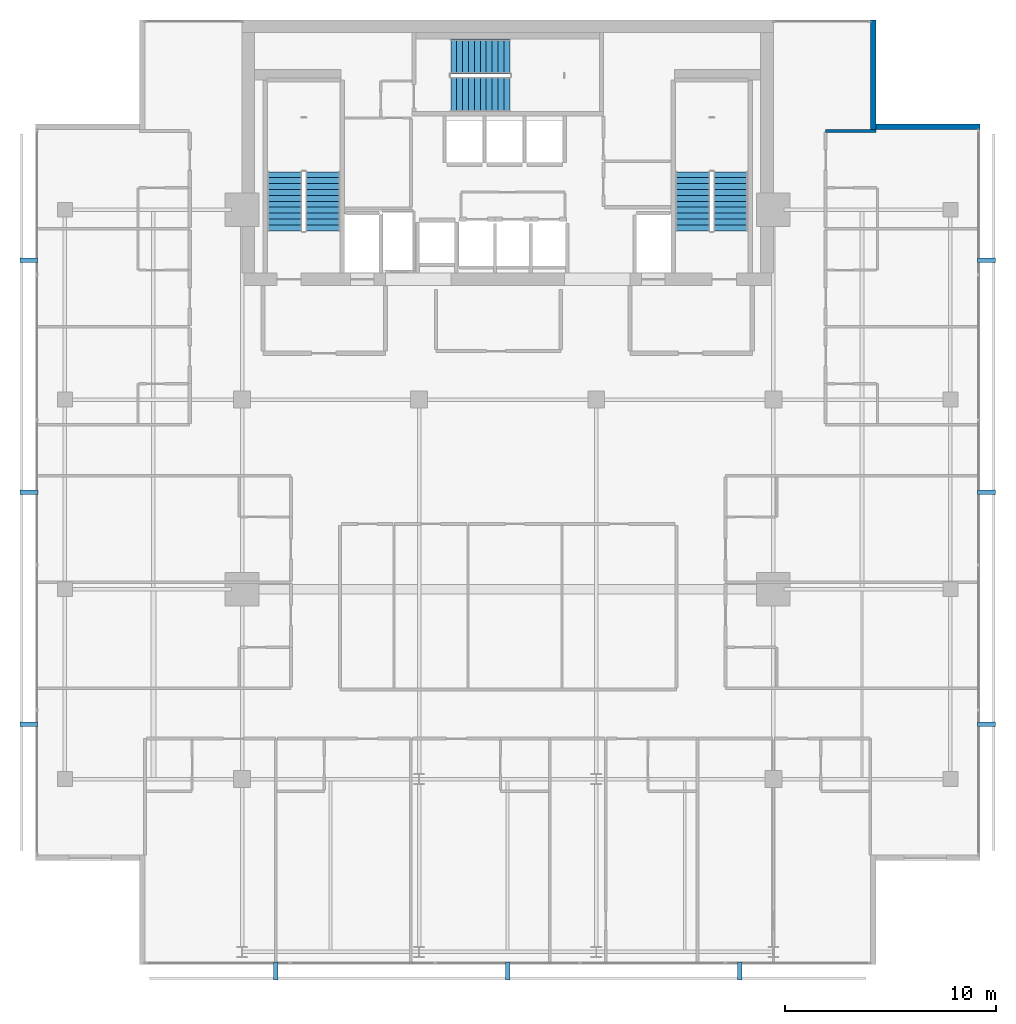
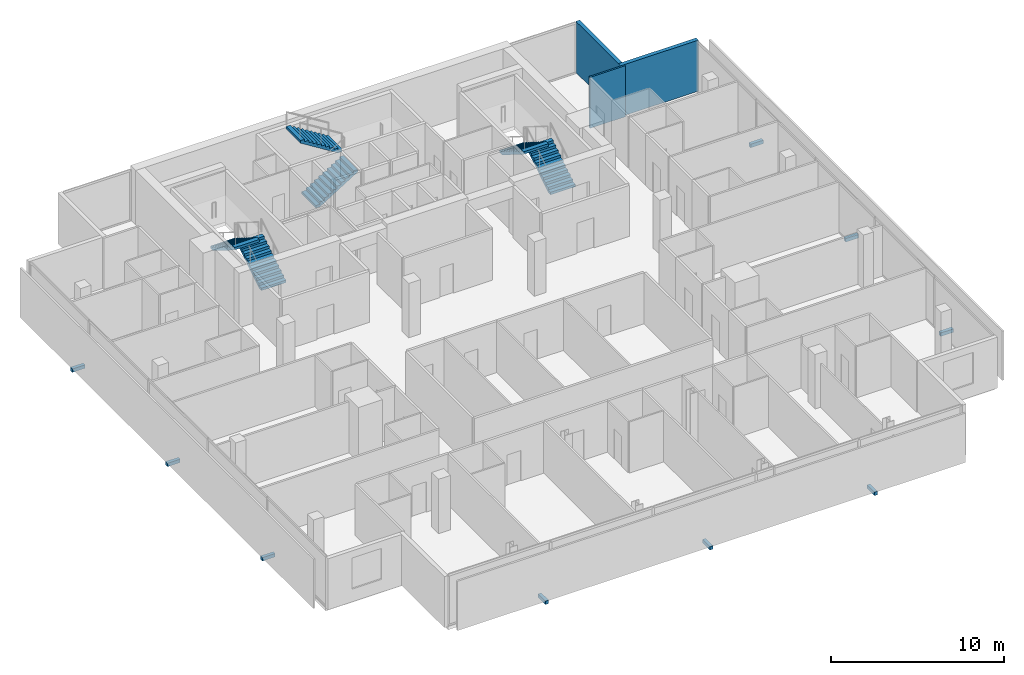
# One storey, part 24 of 26: 9 discrete accessories, 6 stair flights, 3 walls, 3 elements without a shape of their own.
"""IFC4 building model written with IfcOpenShell, lengths in metres."""

from ifc_helpers import new_model, si_unit, direction, frame, frame_2d, origin, origin_2d, place, context, subcontext, project, spatial, polyline, rectangle, outline, extrude, material, layer, layer_set, type_object, element, aggregate, save


model = new_model("IFC4")

# Units and contexts
model_context = context("Model", 3, precision=1e-05, world=origin(), true_north=direction((0.0, 1.0)))
body_context = subcontext(model_context, "Body", "Model", "MODEL_VIEW")
ifc_project = project(units=[si_unit("LENGTHUNIT", "METRE"), si_unit("AREAUNIT", "SQUARE_METRE"), si_unit("VOLUMEUNIT", "CUBIC_METRE"), si_unit("PLANEANGLEUNIT", "RADIAN"), si_unit("MASSUNIT", "GRAM", prefix="KILO")], contexts=[model_context])

# Site, building, storey
site_placement = place(None, origin())
site = spatial("IfcSite", under=ifc_project, at=site_placement, CompositionType="ELEMENT")
building_placement = place(site_placement, origin())
building = spatial("IfcBuilding", under=site, at=building_placement, Name="Maruvema Waterfront Hotel and Observation Tower", CompositionType="ELEMENT")
storey_placement = place(building_placement, frame((0.0, 0.0, 293.300048828125)))
storey = spatial("IfcBuildingStorey", under=building, at=storey_placement, Name="L72", CompositionType="ELEMENT", Elevation=293.300048828125)

# Walls
ifc_material_1 = material(Name="Precast concrete C45/55 with honed Pernambuco granite facing", Category="masonry")
ifc_layer_1 = layer(ifc_material_1, 0.260009765625, Name="Exterior Granite Clad Spandrel and Pier Wall 260 mm")
ifc_layer_set_1 = layer_set([ifc_layer_1], Name="Precast concrete C45/55 with honed Pernambuco granite facing")
wall_type_1 = type_object("IfcWallType", Name="Exterior Granite Clad Spandrel and Pier Wall 260 mm", PredefinedType="SOLIDWALL", material=ifc_layer_set_1)
for number, where, z_axis, x_axis, name in (
    (1, (55.1298828125, 54.0, 0.0), (0.0, 0.0, 1.0), (0.0, -1.0, 0.0), "L72 Corner Notch Granite Pier Wall NE1"),
    (2, (55.0, 48.929931640625, 0.0), (0.0, 0.0, 1.0), (1.0, 0.0, 0.0), "L72 Corner Notch Granite Pier Wall NE2"),
):
    element("IfcWall", number, at=place(storey_placement, frame(where, z_axis=z_axis, x_axis=x_axis)), inside=storey, type_object=wall_type_1, Name=name, PredefinedType="SOLIDWALL", context=body_context, shape_type="SweptSolid", body=[
        extrude(rectangle(XDim=5.199951171875, YDim=0.260009765625, at=frame_2d((2.60009765625, 0.0))), origin(), (0.0, 0.0, 1.0), 3.60986328125),
    ])
ifc_material_2 = material(Name="Acoustic gypsum plasterboard drywall", Category="gypsum")
ifc_layer_2 = layer(ifc_material_2, 0.125, Name="Guestroom Acoustic Demising Wall 125 mm")
ifc_layer_set_2 = layer_set([ifc_layer_2], Name="Acoustic gypsum plasterboard drywall")
wall_type_2 = type_object("IfcWallType", Name="Guestroom Acoustic Demising Wall 125 mm", PredefinedType="PARTITIONING", material=ifc_layer_set_2)
wall_placement = place(storey_placement, frame((52.8798828125, 48.737548828125, 0.0), z_axis=(0.0, 0.0, 1.0), x_axis=(1.0, 0.0, 0.0)))
element("IfcWall", 3, at=wall_placement, inside=storey, type_object=wall_type_2, Name="L72 Z3 NE Top End 090", PredefinedType="PARTITIONING", context=body_context, shape_type="SweptSolid", body=[
    extrude(rectangle(XDim=2.380126953125, YDim=0.125, at=frame_2d((1.18994140625, 0.0))), origin(), (0.0, 0.0, 1.0), 3.60986328125),
])

# Stair, stair flights
ifc_material_3 = material(Name="Concrete C50/60", Category="concrete")
stair_type = type_object("IfcStairType", Name="Dogleg Exit Stair 1650 mm (22R x 175.0 mm)", PredefinedType="HALF_TURN_STAIR", material=ifc_material_3)
stair_1_placement = place(storey_placement, origin())
stair_1 = element("IfcStair", 4, at=stair_1_placement, inside=storey, type_object=stair_type, Name="L72 ST-01", PredefinedType="HALF_TURN_STAIR")
ifc_material_4 = material(Name="Concrete C50/60", Category="concrete")
stair_flight_type = type_object("IfcStairFlightType", Name="Reinforced Concrete Stair Flight 1650 mm (11R x 175.0 mm)", PredefinedType="STRAIGHT", material=ifc_material_4)
stair_flight_1_placement = place(storey_placement, frame((29.02490234375, 44.0, 0.0), z_axis=(0.0, 0.0, 1.0), x_axis=(0.0, 1.0, 0.0)))
stair_flight_1 = element("IfcStairFlight", 5, at=stair_flight_1_placement, type_object=stair_flight_type, Name="ST-01 flight 1", NumberOfRisers=11, NumberOfTreads=10, PredefinedType="STRAIGHT", RiserHeight=0.175, TreadLength=0.28, context=body_context, shape_type="SweptSolid", body=[
    extrude(outline(polyline([(0.0, 0.0), (0.0, 0.175048828125), (0.280029296875, 0.175048828125), (0.280029296875, 0.35009765625), (0.56005859375, 0.35009765625), (0.56005859375, 0.52490234375), (0.840087890625, 0.52490234375), (0.840087890625, 0.699951171875), (1.1201171875, 0.699951171875), (1.1201171875, 0.875), (1.39990234375, 0.875), (1.39990234375, 1.050048828125), (1.679931640625, 1.050048828125), (1.679931640625, 1.22509765625), (1.9599609375, 1.22509765625), (1.9599609375, 1.39990234375), (2.239990234375, 1.39990234375), (2.239990234375, 1.574951171875), (2.52001953125, 1.574951171875), (2.52001953125, 1.75), (2.800048828125, 1.75), (2.800048828125, 1.925048828125), (2.800048828125, 1.5732421875), (0.28271484375, 0.0), (0.0, 0.0)])), frame((0.0, 0.824951171875, 0.0), z_axis=(0.0, -1.0, 0.0), x_axis=(1.0, 0.0, 0.0)), (0.0, 0.0, 1.0), 1.64990234375),
])
stair_flight_2_placement = place(storey_placement, frame((27.22509765625, 46.800048828125, 1.925048828125), z_axis=(0.0, 0.0, 1.0), x_axis=(0.0, -1.0, 0.0)))
stair_flight_2 = element("IfcStairFlight", 6, at=stair_flight_2_placement, type_object=stair_flight_type, Name="ST-01 flight 2", NumberOfRisers=11, NumberOfTreads=10, PredefinedType="STRAIGHT", RiserHeight=0.175, TreadLength=0.28, context=body_context, shape_type="SweptSolid", body=[
    extrude(outline(polyline([(0.0, 0.0), (0.0, 0.175048828125), (0.280029296875, 0.175048828125), (0.280029296875, 0.35009765625), (0.56005859375, 0.35009765625), (0.56005859375, 0.52490234375), (0.840087890625, 0.52490234375), (0.840087890625, 0.699951171875), (1.1201171875, 0.699951171875), (1.1201171875, 0.875), (1.39990234375, 0.875), (1.39990234375, 1.050048828125), (1.679931640625, 1.050048828125), (1.679931640625, 1.22509765625), (1.9599609375, 1.22509765625), (1.9599609375, 1.39990234375), (2.239990234375, 1.39990234375), (2.239990234375, 1.574951171875), (2.52001953125, 1.574951171875), (2.52001953125, 1.75), (2.800048828125, 1.75), (2.800048828125, 1.925048828125), (2.800048828125, 1.5732421875), (0.28271484375, 0.0), (0.0, 0.0)])), frame((0.0, 0.824951171875, 0.0), z_axis=(0.0, -1.0, 0.0), x_axis=(1.0, 0.0, 0.0)), (0.0, 0.0, 1.0), 1.64990234375),
])
aggregate(stair_1, [stair_flight_1, stair_flight_2])

stair_2_placement = place(storey_placement, origin())
stair_2 = element("IfcStair", 7, at=stair_2_placement, inside=storey, type_object=stair_type, Name="L72 ST-02", PredefinedType="HALF_TURN_STAIR")
stair_flight_3_placement = place(storey_placement, frame((35.10009765625, 50.47509765625, 0.0), z_axis=(0.0, 0.0, 1.0), x_axis=(1.0, 0.0, 0.0)))
stair_flight_3 = element("IfcStairFlight", 8, at=stair_flight_3_placement, type_object=stair_flight_type, Name="ST-02 flight 1", NumberOfRisers=11, NumberOfTreads=10, PredefinedType="STRAIGHT", RiserHeight=0.175, TreadLength=0.28, context=body_context, shape_type="SweptSolid", body=[
    extrude(outline(polyline([(0.0, 0.0), (0.0, 0.175048828125), (0.280029296875, 0.175048828125), (0.280029296875, 0.35009765625), (0.56005859375, 0.35009765625), (0.56005859375, 0.52490234375), (0.840087890625, 0.52490234375), (0.840087890625, 0.699951171875), (1.1201171875, 0.699951171875), (1.1201171875, 0.875), (1.39990234375, 0.875), (1.39990234375, 1.050048828125), (1.679931640625, 1.050048828125), (1.679931640625, 1.22509765625), (1.9599609375, 1.22509765625), (1.9599609375, 1.39990234375), (2.239990234375, 1.39990234375), (2.239990234375, 1.574951171875), (2.52001953125, 1.574951171875), (2.52001953125, 1.75), (2.800048828125, 1.75), (2.800048828125, 1.925048828125), (2.800048828125, 1.5732421875), (0.28271484375, 0.0), (0.0, 0.0)])), frame((0.0, 0.824951171875, 0.0), z_axis=(0.0, -1.0, 0.0), x_axis=(1.0, 0.0, 0.0)), (0.0, 0.0, 1.0), 1.64990234375),
])
stair_flight_4_placement = place(storey_placement, frame((37.89990234375, 52.27490234375, 1.925048828125), z_axis=(0.0, 0.0, 1.0), x_axis=(-1.0, 0.0, 0.0)))
stair_flight_4 = element("IfcStairFlight", 9, at=stair_flight_4_placement, type_object=stair_flight_type, Name="ST-02 flight 2", NumberOfRisers=11, NumberOfTreads=10, PredefinedType="STRAIGHT", RiserHeight=0.175, TreadLength=0.28, context=body_context, shape_type="SweptSolid", body=[
    extrude(outline(polyline([(0.0, 0.0), (0.0, 0.175048828125), (0.280029296875, 0.175048828125), (0.280029296875, 0.35009765625), (0.56005859375, 0.35009765625), (0.56005859375, 0.52490234375), (0.840087890625, 0.52490234375), (0.840087890625, 0.699951171875), (1.1201171875, 0.699951171875), (1.1201171875, 0.875), (1.39990234375, 0.875), (1.39990234375, 1.050048828125), (1.679931640625, 1.050048828125), (1.679931640625, 1.22509765625), (1.9599609375, 1.22509765625), (1.9599609375, 1.39990234375), (2.239990234375, 1.39990234375), (2.239990234375, 1.574951171875), (2.52001953125, 1.574951171875), (2.52001953125, 1.75), (2.800048828125, 1.75), (2.800048828125, 1.925048828125), (2.800048828125, 1.5732421875), (0.28271484375, 0.0), (0.0, 0.0)])), frame((0.0, 0.824951171875, 0.0), z_axis=(0.0, -1.0, 0.0), x_axis=(1.0, 0.0, 0.0)), (0.0, 0.0, 1.0), 1.64990234375),
])
aggregate(stair_2, [stair_flight_3, stair_flight_4])

stair_3_placement = place(storey_placement, origin())
stair_3 = element("IfcStair", 10, at=stair_3_placement, inside=storey, type_object=stair_type, Name="L72 ST-03", PredefinedType="HALF_TURN_STAIR")
stair_flight_5_placement = place(storey_placement, frame((48.375, 44.0, 0.0), z_axis=(0.0, 0.0, 1.0), x_axis=(0.0, 1.0, 0.0)))
stair_flight_5 = element("IfcStairFlight", 11, at=stair_flight_5_placement, type_object=stair_flight_type, Name="ST-03 flight 1", NumberOfRisers=11, NumberOfTreads=10, PredefinedType="STRAIGHT", RiserHeight=0.175, TreadLength=0.28, context=body_context, shape_type="SweptSolid", body=[
    extrude(outline(polyline([(0.0, 0.0), (0.0, 0.175048828125), (0.280029296875, 0.175048828125), (0.280029296875, 0.35009765625), (0.56005859375, 0.35009765625), (0.56005859375, 0.52490234375), (0.840087890625, 0.52490234375), (0.840087890625, 0.699951171875), (1.1201171875, 0.699951171875), (1.1201171875, 0.875), (1.39990234375, 0.875), (1.39990234375, 1.050048828125), (1.679931640625, 1.050048828125), (1.679931640625, 1.22509765625), (1.9599609375, 1.22509765625), (1.9599609375, 1.39990234375), (2.239990234375, 1.39990234375), (2.239990234375, 1.574951171875), (2.52001953125, 1.574951171875), (2.52001953125, 1.75), (2.800048828125, 1.75), (2.800048828125, 1.925048828125), (2.800048828125, 1.5732421875), (0.28271484375, 0.0), (0.0, 0.0)])), frame((0.0, 0.824951171875, 0.0), z_axis=(0.0, -1.0, 0.0), x_axis=(1.0, 0.0, 0.0)), (0.0, 0.0, 1.0), 1.64990234375),
])
stair_flight_6_placement = place(storey_placement, frame((46.574951171875, 46.800048828125, 1.925048828125), z_axis=(0.0, 0.0, 1.0), x_axis=(0.0, -1.0, 0.0)))
stair_flight_6 = element("IfcStairFlight", 12, at=stair_flight_6_placement, type_object=stair_flight_type, Name="ST-03 flight 2", NumberOfRisers=11, NumberOfTreads=10, PredefinedType="STRAIGHT", RiserHeight=0.175, TreadLength=0.28, context=body_context, shape_type="SweptSolid", body=[
    extrude(outline(polyline([(0.0, 0.0), (0.0, 0.175048828125), (0.280029296875, 0.175048828125), (0.280029296875, 0.35009765625), (0.56005859375, 0.35009765625), (0.56005859375, 0.52490234375), (0.840087890625, 0.52490234375), (0.840087890625, 0.699951171875), (1.1201171875, 0.699951171875), (1.1201171875, 0.875), (1.39990234375, 0.875), (1.39990234375, 1.050048828125), (1.679931640625, 1.050048828125), (1.679931640625, 1.22509765625), (1.9599609375, 1.22509765625), (1.9599609375, 1.39990234375), (2.239990234375, 1.39990234375), (2.239990234375, 1.574951171875), (2.52001953125, 1.574951171875), (2.52001953125, 1.75), (2.800048828125, 1.75), (2.800048828125, 1.925048828125), (2.800048828125, 1.5732421875), (0.28271484375, 0.0), (0.0, 0.0)])), frame((0.0, 0.824951171875, 0.0), z_axis=(0.0, -1.0, 0.0), x_axis=(1.0, 0.0, 0.0)), (0.0, 0.0, 1.0), 1.64990234375),
])
aggregate(stair_3, [stair_flight_5, stair_flight_6])

# Discrete accessories
ifc_material_5 = material(Name="Duplex stainless steel Grade 2205", Category="steel")
discrete_accessory_type = type_object("IfcDiscreteAccessoryType", Name="Double-Skin Cavity Stainless Outrigger Bracket", PredefinedType="BRACKET", material=ifc_material_5)
for number, where, z_axis, x_axis, name in (
    (13, (26.7919921875, 8.89990234375, -0.14013671875), (0.0, 0.0, 1.0), (1.0, 0.0, 0.0), "L72 Outer Skin Support Bracket 1"),
    (14, (37.800048828125, 8.89990234375, -0.14013671875), (0.0, 0.0, 1.0), (1.0, 0.0, 0.0), "L72 Outer Skin Support Bracket 2"),
    (15, (48.80810546875, 8.89990234375, -0.14013671875), (0.0, 0.0, 1.0), (1.0, 0.0, 0.0), "L72 Outer Skin Support Bracket 3"),
    (16, (60.5, 20.592041015625, -0.14013671875), (0.0, 0.0, 1.0), (0.0, 1.0, 0.0), "L72 Outer Skin Support Bracket 1"),
    (17, (60.5, 31.60009765625, -0.14013671875), (0.0, 0.0, 1.0), (0.0, 1.0, 0.0), "L72 Outer Skin Support Bracket 2"),
    (18, (60.5, 42.60791015625, -0.14013671875), (0.0, 0.0, 1.0), (0.0, 1.0, 0.0), "L72 Outer Skin Support Bracket 3"),
    (19, (15.10009765625, 42.60791015625, -0.14013671875), (0.0, 0.0, 1.0), (0.0, -1.0, 0.0), "L72 Outer Skin Support Bracket 1"),
    (20, (15.10009765625, 31.60009765625, -0.14013671875), (0.0, 0.0, 1.0), (0.0, -1.0, 0.0), "L72 Outer Skin Support Bracket 2"),
    (21, (15.10009765625, 20.592041015625, -0.14013671875), (0.0, 0.0, 1.0), (0.0, -1.0, 0.0), "L72 Outer Skin Support Bracket 3"),
):
    element("IfcDiscreteAccessory", number, at=place(storey_placement, frame(where, z_axis=z_axis, x_axis=x_axis)), inside=storey, type_object=discrete_accessory_type, Name=name, PredefinedType="BRACKET", context=body_context, shape_type="SweptSolid", body=[
        extrude(rectangle(XDim=0.219970703125, YDim=0.860107421875, at=origin_2d()), origin(), (0.0, 0.0, 1.0), 0.239990234375),
    ])

save(model, "model.ifc")
